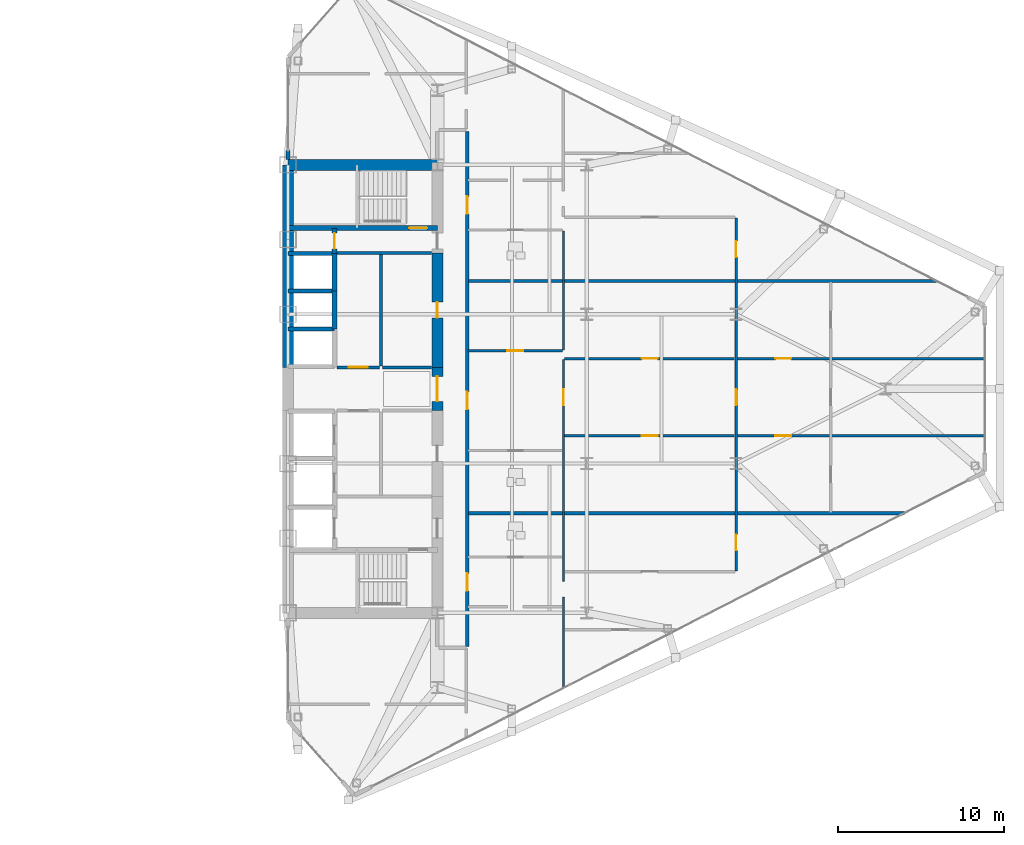
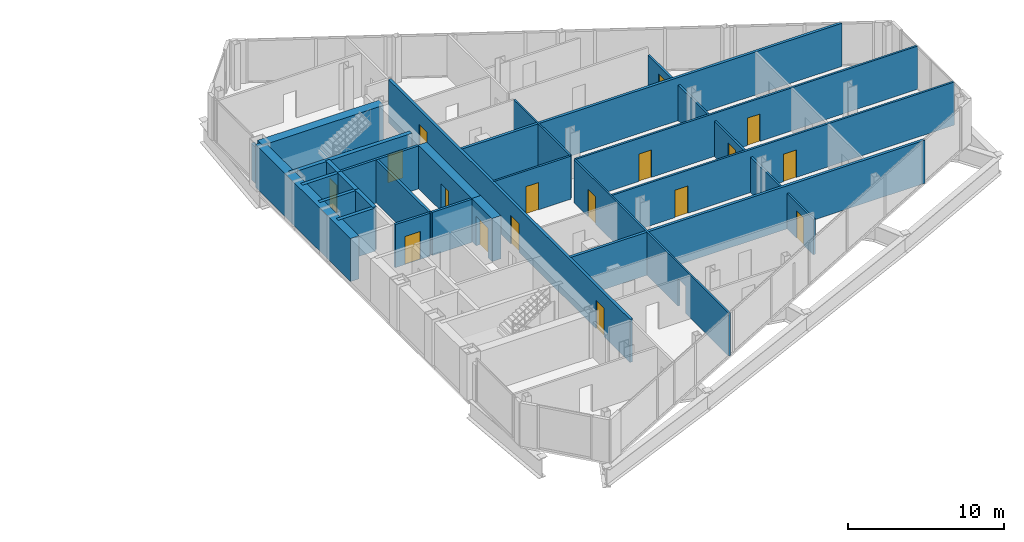
# One storey, part 23 of 28: 25 walls, 17 doors, 18 openings.
"""IFC4 building model written with IfcOpenShell, lengths in metres."""

from ifc_helpers import new_model, si_unit, direction, frame, frame_2d, origin, place, context, subcontext, project, spatial, rectangle, extrude, source, transform, mapped, material, layer, layer_set, type_object, type_shapes, element, fill, save


model = new_model("IFC4")

# Units and contexts
model_context = context("Model", 3, precision=1e-05, world=origin(), true_north=direction((0.0, 1.0)))
body_context = subcontext(model_context, "Body", "Model", "MODEL_VIEW")
ifc_project = project(units=[si_unit("LENGTHUNIT", "METRE"), si_unit("AREAUNIT", "SQUARE_METRE"), si_unit("VOLUMEUNIT", "CUBIC_METRE"), si_unit("PLANEANGLEUNIT", "RADIAN"), si_unit("MASSUNIT", "GRAM", prefix="KILO")], contexts=[model_context])

# Site, building, storey
site_placement = place(None, origin())
site = spatial("IfcSite", under=ifc_project, at=site_placement, CompositionType="ELEMENT")
building_placement = place(site_placement, origin())
building = spatial("IfcBuilding", under=site, at=building_placement, Name="Seokmaru Belvedere", CompositionType="ELEMENT")
storey_placement = place(building_placement, frame((0.0, 0.0, 110.39990234375)))
storey = spatial("IfcBuildingStorey", under=building, at=storey_placement, Name="L29", CompositionType="ELEMENT", Elevation=110.39990234375)

# Wall, openings, doors
ifc_material_1 = material(Name="Fire-Rated Gypsum Shaftwall")
ifc_layer_1 = layer(ifc_material_1, 0.14990234375)
ifc_layer_set_1 = layer_set([ifc_layer_1], Name="Fire-Rated Gypsum Shaftwall")
wall_type_1 = type_object("IfcWallType", Name="Apartment Fire-Acoustic Room Partition 150", PredefinedType="PARTITIONING", material=ifc_layer_set_1)
wall_1_placement = place(storey_placement, frame((44.14990234375, -2.830078125, 0.0), z_axis=(0.0, 0.0, 1.0), x_axis=(1.0, 0.0, 0.0)))
wall_1 = element("IfcWall", 1, at=wall_1_placement, inside=storey, type_object=wall_type_1, Name="L29 Interior Partition 018", PredefinedType="PARTITIONING", context=body_context, shape_type="SweptSolid", body=[
    extrude(rectangle(XDim=25.385009765625, YDim=0.14990234375, at=frame_2d((12.6923828125, 0.0))), origin(), (0.0, 0.0, 1.0), 3.380126953125),
])
opening_1_placement = place(wall_1_placement, frame((4.675048828125, 0.0, 0.0)))
opening_1 = element("IfcOpeningElement", 2, at=opening_1_placement, cuts=wall_1, Name="Opening D05", PredefinedType="OPENING", context=body_context, shape_type="SweptSolid", body=[
    extrude(rectangle(XDim=0.949951171875, YDim=2.14990234375, at=frame_2d((0.47509765625, 1.074951171875))), frame((0.0, 0.0849609375, 0.0), z_axis=(0.0, -1.0, 0.0), x_axis=(1.0, 0.0, 0.0)), (0.0, 0.0, 1.0), 0.169921875),
])
opening_2_placement = place(wall_1_placement, frame((12.72509765625, 0.0, 0.0)))
opening_2 = element("IfcOpeningElement", 3, at=opening_2_placement, cuts=wall_1, Name="Opening D05", PredefinedType="OPENING", context=body_context, shape_type="SweptSolid", body=[
    extrude(rectangle(XDim=0.949951171875, YDim=2.14990234375, at=frame_2d((0.47509765625, 1.074951171875))), frame((0.0, 0.0849609375, 0.0), z_axis=(0.0, -1.0, 0.0), x_axis=(1.0, 0.0, 0.0)), (0.0, 0.0, 1.0), 0.169921875),
])
ifc_material_2 = material(Name="Engineered White Oak Timber", Category="wood")
door_type_1 = type_object("IfcDoorType", Name="Apartment Interior Fire-Rated Oak Door 950x2150", OperationType="NOTDEFINED", PredefinedType="DOOR", material=ifc_material_2)
shared_shape_1 = source(origin(), body_context, "Body", "SweptSolid", [
    extrude(rectangle(XDim=0.949951171875, YDim=2.14990234375, at=frame_2d((0.47509765625, 1.074951171875))), frame((0.0, 0.02490234375, 0.0), z_axis=(0.0, -1.0, 0.0), x_axis=(1.0, 0.0, 0.0)), (0.0, 0.0, 1.0), 0.050048828125),
])
type_shapes(door_type_1, [shared_shape_1])
door_1_placement = place(opening_1_placement, origin())
door_1 = element("IfcDoor", 4, at=door_1_placement, inside=storey, type_object=door_type_1, Name="L29 Interior Door 050", OperationType="SINGLE_SWING_LEFT", OverallHeight=2.14990234375, OverallWidth=0.949951171875, PredefinedType="DOOR", context=body_context, shape_type="MappedRepresentation", body=[
    mapped(shared_shape_1, transform((0.0, 0.0, 0.0), scale=1.0)),
])
fill(opening_1, door_1)
door_2_placement = place(opening_2_placement, origin())
door_2 = element("IfcDoor", 5, at=door_2_placement, inside=storey, type_object=door_type_1, Name="L29 Interior Door 052", OperationType="SINGLE_SWING_RIGHT", OverallHeight=2.14990234375, OverallWidth=0.949951171875, PredefinedType="DOOR", context=body_context, shape_type="MappedRepresentation", body=[
    mapped(shared_shape_1, transform((0.0, 0.0, 0.0), scale=1.0)),
])
fill(opening_2, door_2)

wall_2_placement = place(storey_placement, frame((44.14990234375, 1.830078125, 0.0), z_axis=(0.0, 0.0, 1.0), x_axis=(1.0, 0.0, 0.0)))
wall_2 = element("IfcWall", 6, at=wall_2_placement, inside=storey, type_object=wall_type_1, Name="L29 Interior Partition 021", PredefinedType="PARTITIONING", context=body_context, shape_type="SweptSolid", body=[
    extrude(rectangle(XDim=25.385009765625, YDim=0.14990234375, at=frame_2d((12.6923828125, 0.0))), origin(), (0.0, 0.0, 1.0), 3.380126953125),
])
opening_3_placement = place(wall_2_placement, frame((4.675048828125, 0.0, 0.0)))
opening_3 = element("IfcOpeningElement", 7, at=opening_3_placement, cuts=wall_2, Name="Opening D05", PredefinedType="OPENING", context=body_context, shape_type="SweptSolid", body=[
    extrude(rectangle(XDim=0.949951171875, YDim=2.14990234375, at=frame_2d((0.47509765625, 1.074951171875))), frame((0.0, 0.0849609375, 0.0), z_axis=(0.0, -1.0, 0.0), x_axis=(1.0, 0.0, 0.0)), (0.0, 0.0, 1.0), 0.169921875),
])
opening_4_placement = place(wall_2_placement, frame((12.72509765625, 0.0, 0.0)))
opening_4 = element("IfcOpeningElement", 8, at=opening_4_placement, cuts=wall_2, Name="Opening D05", PredefinedType="OPENING", context=body_context, shape_type="SweptSolid", body=[
    extrude(rectangle(XDim=0.949951171875, YDim=2.14990234375, at=frame_2d((0.47509765625, 1.074951171875))), frame((0.0, 0.0849609375, 0.0), z_axis=(0.0, -1.0, 0.0), x_axis=(1.0, 0.0, 0.0)), (0.0, 0.0, 1.0), 0.169921875),
])
door_3_placement = place(opening_3_placement, origin())
door_3 = element("IfcDoor", 9, at=door_3_placement, inside=storey, type_object=door_type_1, Name="L29 Interior Door 051", OperationType="SINGLE_SWING_RIGHT", OverallHeight=2.14990234375, OverallWidth=0.949951171875, PredefinedType="DOOR", context=body_context, shape_type="MappedRepresentation", body=[
    mapped(shared_shape_1, transform((0.0, 0.0, 0.0), scale=1.0)),
])
fill(opening_3, door_3)
door_4_placement = place(opening_4_placement, origin())
door_4 = element("IfcDoor", 10, at=door_4_placement, inside=storey, type_object=door_type_1, Name="L29 Interior Door 055", OperationType="SINGLE_SWING_RIGHT", OverallHeight=2.14990234375, OverallWidth=0.949951171875, PredefinedType="DOOR", context=body_context, shape_type="MappedRepresentation", body=[
    mapped(shared_shape_1, transform((0.0, 0.0, 0.0), scale=1.0)),
])
fill(opening_4, door_4)

# Wall, opening, door
wall_3_placement = place(storey_placement, frame((38.35009765625, 2.300048828125, 0.0), z_axis=(0.0, 0.0, 1.0), x_axis=(1.0, 0.0, 0.0)))
wall_3 = element("IfcWall", 11, at=wall_3_placement, inside=storey, type_object=wall_type_1, Name="L29 Interior Partition 022", PredefinedType="PARTITIONING", context=body_context, shape_type="SweptSolid", body=[
    extrude(rectangle(XDim=5.699951171875, YDim=0.14990234375, at=frame_2d((2.85009765625, 0.0))), origin(), (0.0, 0.0, 1.0), 3.380126953125),
])
opening_5_placement = place(wall_3_placement, frame((2.375, 0.0, 0.0)))
opening_5 = element("IfcOpeningElement", 12, at=opening_5_placement, cuts=wall_3, Name="Opening D05", PredefinedType="OPENING", context=body_context, shape_type="SweptSolid", body=[
    extrude(rectangle(XDim=0.949951171875, YDim=2.14990234375, at=frame_2d((0.47509765625, 1.074951171875))), frame((0.0, 0.0849609375, 0.0), z_axis=(0.0, -1.0, 0.0), x_axis=(1.0, 0.0, 0.0)), (0.0, 0.0, 1.0), 0.169921875),
])
door_5_placement = place(opening_5_placement, origin())
door_5 = element("IfcDoor", 13, at=door_5_placement, inside=storey, type_object=door_type_1, Name="L29 Interior Door 047", OperationType="SINGLE_SWING_RIGHT", OverallHeight=2.14990234375, OverallWidth=0.949951171875, PredefinedType="DOOR", context=body_context, shape_type="MappedRepresentation", body=[
    mapped(shared_shape_1, transform((0.0, 0.0, 0.0), scale=1.0)),
])
fill(opening_5, door_5)

# Wall, openings, doors
wall_4_placement = place(storey_placement, frame((54.5, -10.9609375, 0.0), z_axis=(0.0, 0.0, 1.0), x_axis=(0.0, 1.0, 0.0)))
wall_4 = element("IfcWall", 14, at=wall_4_placement, inside=storey, type_object=wall_type_1, Name="L29 Interior Partition 055", PredefinedType="PARTITIONING", context=body_context, shape_type="SweptSolid", body=[
    extrude(rectangle(XDim=21.255859375, YDim=0.14990234375, at=frame_2d((10.6279296875, 0.0))), origin(), (0.0, 0.0, 1.0), 2.780029296875),
])
opening_6_placement = place(wall_4_placement, frame((1.230224609375, 0.0, 0.0)))
opening_6 = element("IfcOpeningElement", 15, at=opening_6_placement, cuts=wall_4, Name="Opening D05", PredefinedType="OPENING", context=body_context, shape_type="SweptSolid", body=[
    extrude(rectangle(XDim=0.949951171875, YDim=2.14990234375, at=frame_2d((0.47509765625, 1.074951171875))), frame((0.0, 0.0849609375, 0.0), z_axis=(0.0, -1.0, 0.0), x_axis=(1.0, 0.0, 0.0)), (0.0, 0.0, 1.0), 0.169921875),
])
opening_7_placement = place(wall_4_placement, frame((9.986083984375, 0.0, 0.0)))
opening_7 = element("IfcOpeningElement", 16, at=opening_7_placement, cuts=wall_4, Name="Opening D05", PredefinedType="OPENING", context=body_context, shape_type="SweptSolid", body=[
    extrude(rectangle(XDim=0.949951171875, YDim=2.14990234375, at=frame_2d((0.47509765625, 1.074951171875))), frame((0.0, 0.0849609375, 0.0), z_axis=(0.0, -1.0, 0.0), x_axis=(1.0, 0.0, 0.0)), (0.0, 0.0, 1.0), 0.169921875),
])
opening_8_placement = place(wall_4_placement, frame((18.908447265625, 0.0, 0.0)))
opening_8 = element("IfcOpeningElement", 17, at=opening_8_placement, cuts=wall_4, Name="Opening D05", PredefinedType="OPENING", context=body_context, shape_type="SweptSolid", body=[
    extrude(rectangle(XDim=0.949951171875, YDim=2.14990234375, at=frame_2d((0.47509765625, 1.074951171875))), frame((0.0, 0.0849609375, 0.0), z_axis=(0.0, -1.0, 0.0), x_axis=(1.0, 0.0, 0.0)), (0.0, 0.0, 1.0), 0.169921875),
])
door_6_placement = place(opening_6_placement, origin())
door_6 = element("IfcDoor", 18, at=door_6_placement, inside=storey, type_object=door_type_1, Name="L29 Interior Door 044", OperationType="SINGLE_SWING_RIGHT", OverallHeight=2.14990234375, OverallWidth=0.949951171875, PredefinedType="DOOR", context=body_context, shape_type="MappedRepresentation", body=[
    mapped(shared_shape_1, transform((0.0, 0.0, 0.0), scale=1.0)),
])
fill(opening_6, door_6)
door_7_placement = place(opening_7_placement, origin())
door_7 = element("IfcDoor", 19, at=door_7_placement, inside=storey, type_object=door_type_1, Name="L29 Interior Door 049", OperationType="SINGLE_SWING_RIGHT", OverallHeight=2.14990234375, OverallWidth=0.949951171875, PredefinedType="DOOR", context=body_context, shape_type="MappedRepresentation", body=[
    mapped(shared_shape_1, transform((0.0, 0.0, 0.0), scale=1.0)),
])
fill(opening_7, door_7)
door_8_placement = place(opening_8_placement, origin())
door_8 = element("IfcDoor", 20, at=door_8_placement, inside=storey, type_object=door_type_1, Name="L29 Interior Door 065", OperationType="SINGLE_SWING_LEFT", OverallHeight=2.14990234375, OverallWidth=0.949951171875, PredefinedType="DOOR", context=body_context, shape_type="MappedRepresentation", body=[
    mapped(shared_shape_1, transform((0.0, 0.0, 0.0), scale=1.0)),
])
fill(opening_8, door_8)

# Walls
ifc_layer_2 = layer(ifc_material_1, 0.179931640625)
ifc_layer_set_2 = layer_set([ifc_layer_2], Name="Fire-Rated Gypsum Shaftwall")
wall_type_2 = type_object("IfcWallType", Name="Core Service Fire Partition 180", PredefinedType="PARTITIONING", material=ifc_layer_set_2)
wall_5_placement = place(storey_placement, frame((30.449951171875, 8.199951171875, 0.0), z_axis=(0.0, 0.0, 1.0), x_axis=(1.0, 0.0, 0.0)))
element("IfcWall", 21, at=wall_5_placement, inside=storey, type_object=wall_type_2, Name="L29 East Smokeproof Vestibule Partition", PredefinedType="PARTITIONING", context=body_context, shape_type="SweptSolid", body=[
    extrude(rectangle(XDim=5.699951171875, YDim=0.179931640625, at=frame_2d((2.85009765625, 0.0))), origin(), (0.0, 0.0, 1.0), 3.380126953125),
])
wall_6_placement = place(storey_placement, frame((33.10009765625, 1.3798828125, 0.0), z_axis=(0.0, 0.0, 1.0), x_axis=(0.0, 1.0, 0.0)))
element("IfcWall", 22, at=wall_6_placement, inside=storey, type_object=wall_type_2, Name="L29 East North Core Service Back Wall", PredefinedType="PARTITIONING", context=body_context, shape_type="SweptSolid", body=[
    extrude(rectangle(XDim=6.740234375, YDim=0.179931640625, at=frame_2d((3.3701171875, 0.0))), origin(), (0.0, 0.0, 1.0), 3.380126953125),
])

# Wall, opening, door
wall_7_placement = place(storey_placement, frame((30.449951171875, 1.300048828125, 0.0), z_axis=(0.0, 0.0, 1.0), x_axis=(1.0, 0.0, 0.0)))
wall_7 = element("IfcWall", 23, at=wall_7_placement, inside=storey, type_object=wall_type_2, Name="L29 East North Lift Lobby Foyer Wall", PredefinedType="PARTITIONING", context=body_context, shape_type="SweptSolid", body=[
    extrude(rectangle(XDim=2.570068359375, YDim=0.179931640625, at=frame_2d((1.28515625, 0.0))), origin(), (0.0, 0.0, 1.0), 3.380126953125),
])
opening_9_placement = place(wall_7_placement, frame((0.7099609375, 0.0, 0.0)))
opening_9 = element("IfcOpeningElement", 24, at=opening_9_placement, cuts=wall_7, Name="Opening D02", PredefinedType="OPENING", context=body_context, shape_type="SweptSolid", body=[
    extrude(rectangle(XDim=1.14990234375, YDim=2.199951171875, at=frame_2d((0.574951171875, 1.10009765625))), frame((0.0, 0.10009765625, 0.0), z_axis=(0.0, -1.0, 0.0), x_axis=(1.0, 0.0, 0.0)), (0.0, 0.0, 1.0), 0.199951171875),
])
ifc_material_3 = material(Name="Fire-Rated Steel Leaf", Category="steel")
door_type_2 = type_object("IfcDoorType", Name="Lobby and Vestibule Fire Door 1150x2200", OperationType="NOTDEFINED", PredefinedType="DOOR", material=ifc_material_3)
shared_shape_2 = source(origin(), body_context, "Body", "SweptSolid", [
    extrude(rectangle(XDim=1.14990234375, YDim=2.199951171875, at=frame_2d((0.574951171875, 1.10009765625))), frame((0.0, 0.02490234375, 0.0), z_axis=(0.0, -1.0, 0.0), x_axis=(1.0, 0.0, 0.0)), (0.0, 0.0, 1.0), 0.050048828125),
])
type_shapes(door_type_2, [shared_shape_2])
door_9_placement = place(opening_9_placement, origin())
door_9 = element("IfcDoor", 25, at=door_9_placement, inside=storey, type_object=door_type_2, Name="L29 East North Lift Lobby Door", OperationType="SINGLE_SWING_LEFT", OverallHeight=2.199951171875, OverallWidth=1.14990234375, PredefinedType="DOOR", context=body_context, shape_type="MappedRepresentation", body=[
    mapped(shared_shape_2, transform((0.0, 0.0, 0.0), scale=1.0)),
])
fill(opening_9, door_9)

# Walls
wall_8_placement = place(storey_placement, frame((33.199951171875, 1.300048828125, 0.0), z_axis=(0.0, 0.0, 1.0), x_axis=(1.0, 0.0, 0.0)))
element("IfcWall", 26, at=wall_8_placement, inside=storey, type_object=wall_type_2, Name="L29 East Foyer Side Wall N", PredefinedType="PARTITIONING", context=body_context, shape_type="SweptSolid", body=[
    extrude(rectangle(XDim=2.949951171875, YDim=0.179931640625, at=frame_2d((1.47509765625, 0.0))), origin(), (0.0, 0.0, 1.0), 3.380126953125),
])
ifc_material_4 = material(Name="Concrete C50 (50 MPa)", Category="concrete")
ifc_layer_3 = layer(ifc_material_4, 0.25)
ifc_layer_set_3 = layer_set([ifc_layer_3], Name="Concrete C50 (50 MPa)")
wall_type_3 = type_object("IfcWallType", Name="Hoistway Transverse Concrete Divider Wall 250", PredefinedType="SHEAR", material=ifc_layer_set_3)
for number, where, z_axis, x_axis, name in (
    (27, (27.5, 3.60009765625, 0.0), (0.0, 0.0, 1.0), (1.0, 0.0, 0.0), "L29 East Hoistway Divider Core Wall 5"),
    (28, (27.5, 5.89990234375, 0.0), (0.0, 0.0, 1.0), (1.0, 0.0, 0.0), "L29 East Hoistway Divider Core Wall 6"),
    (29, (27.5, 8.14990234375, 0.0), (0.0, 0.0, 1.0), (1.0, 0.0, 0.0), "L29 East Hoistway Divider Core Wall 7"),
):
    element("IfcWall", number, at=place(storey_placement, frame(where, z_axis=z_axis, x_axis=x_axis)), inside=storey, type_object=wall_type_3, Name=name, PredefinedType="SHEAR", context=body_context, shape_type="SweptSolid", body=[
        extrude(rectangle(XDim=2.800048828125, YDim=0.25, at=frame_2d((1.39990234375, 0.0))), origin(), (0.0, 0.0, 1.0), 3.380126953125),
    ])
ifc_layer_4 = layer(ifc_material_1, 0.199951171875)
ifc_layer_set_4 = layer_set([ifc_layer_4], Name="Fire-Rated Gypsum Shaftwall")
wall_type_4 = type_object("IfcWallType", Name="Inter-Tenancy Fire Compartment Partition 200", PredefinedType="PARTITIONING", material=ifc_layer_set_4)
wall_9_placement = place(storey_placement, frame((38.3798828125, -7.5, 0.0), z_axis=(0.0, 0.0, 1.0), x_axis=(1.0, 0.0, 0.0)))
element("IfcWall", 30, at=wall_9_placement, inside=storey, type_object=wall_type_4, Name="L29 Interior Partition 014", PredefinedType="PARTITIONING", context=body_context, shape_type="SweptSolid", body=[
    extrude(rectangle(XDim=26.259033203125, YDim=0.199951171875, at=frame_2d((13.12939453125, 0.0))), origin(), (0.0, 0.0, 1.0), 3.380126953125),
])
wall_10_placement = place(storey_placement, frame((38.3798828125, 6.5, 0.0), z_axis=(0.0, 0.0, 1.0), x_axis=(1.0, 0.0, 0.0)))
element("IfcWall", 31, at=wall_10_placement, inside=storey, type_object=wall_type_4, Name="L29 Interior Partition 024", PredefinedType="PARTITIONING", context=body_context, shape_type="SweptSolid", body=[
    extrude(rectangle(XDim=28.2080078125, YDim=0.199951171875, at=frame_2d((14.10400390625, 0.0))), origin(), (0.0, 0.0, 1.0), 3.380126953125),
])

# Wall, openings, doors
wall_11_placement = place(storey_placement, frame((38.300048828125, -15.514892578125, 0.0), z_axis=(0.0, 0.0, 1.0), x_axis=(0.0, 1.0, 0.0)))
wall_11 = element("IfcWall", 32, at=wall_11_placement, inside=storey, type_object=wall_type_4, Name="L29 Interior Partition 051", PredefinedType="PARTITIONING", context=body_context, shape_type="SweptSolid", body=[
    extrude(rectangle(XDim=31.02978515625, YDim=0.199951171875, at=frame_2d((15.514892578125, 0.0))), origin(), (0.0, 0.0, 1.0), 3.380126953125),
])
opening_10_placement = place(wall_11_placement, frame((3.344970703125, 0.0, 0.0)))
opening_10 = element("IfcOpeningElement", 33, at=opening_10_placement, cuts=wall_11, Name="Opening D03", PredefinedType="OPENING", context=body_context, shape_type="SweptSolid", body=[
    extrude(rectangle(XDim=1.050048828125, YDim=2.25, at=frame_2d((0.52490234375, 1.125))), frame((0.0, 0.10986328125, 0.0), z_axis=(0.0, -1.0, 0.0), x_axis=(1.0, 0.0, 0.0)), (0.0, 0.0, 1.0), 0.219970703125),
])
opening_11_placement = place(wall_11_placement, frame((14.280029296875, 0.0, 0.0)))
opening_11 = element("IfcOpeningElement", 34, at=opening_11_placement, cuts=wall_11, Name="Opening D03", PredefinedType="OPENING", context=body_context, shape_type="SweptSolid", body=[
    extrude(rectangle(XDim=1.050048828125, YDim=2.25, at=frame_2d((0.52490234375, 1.125))), frame((0.0, 0.10986328125, 0.0), z_axis=(0.0, -1.0, 0.0), x_axis=(1.0, 0.0, 0.0)), (0.0, 0.0, 1.0), 0.219970703125),
])
opening_12_placement = place(wall_11_placement, frame((26.0673828125, 0.0, 0.0)))
opening_12 = element("IfcOpeningElement", 35, at=opening_12_placement, cuts=wall_11, Name="Opening D03", PredefinedType="OPENING", context=body_context, shape_type="SweptSolid", body=[
    extrude(rectangle(XDim=1.050048828125, YDim=2.25, at=frame_2d((0.52490234375, 1.125))), frame((0.0, 0.10986328125, 0.0), z_axis=(0.0, -1.0, 0.0), x_axis=(1.0, 0.0, 0.0)), (0.0, 0.0, 1.0), 0.219970703125),
])
door_type_3 = type_object("IfcDoorType", Name="Apartment Entrance Fire Door 1050x2250", OperationType="NOTDEFINED", PredefinedType="DOOR", material=ifc_material_3)
shared_shape_3 = source(origin(), body_context, "Body", "SweptSolid", [
    extrude(rectangle(XDim=1.050048828125, YDim=2.25, at=frame_2d((0.52490234375, 1.125))), frame((0.0, 0.02490234375, 0.0), z_axis=(0.0, -1.0, 0.0), x_axis=(1.0, 0.0, 0.0)), (0.0, 0.0, 1.0), 0.050048828125),
])
type_shapes(door_type_3, [shared_shape_3])
door_10_placement = place(opening_10_placement, origin())
door_10 = element("IfcDoor", 36, at=door_10_placement, inside=storey, type_object=door_type_3, Name="L29 Interior Door 036", OperationType="SINGLE_SWING_LEFT", OverallHeight=2.25, OverallWidth=1.050048828125, PredefinedType="DOOR", context=body_context, shape_type="MappedRepresentation", body=[
    mapped(shared_shape_3, transform((0.0, 0.0, 0.0), scale=1.0)),
])
fill(opening_10, door_10)
door_11_placement = place(opening_11_placement, origin())
door_11 = element("IfcDoor", 37, at=door_11_placement, inside=storey, type_object=door_type_3, Name="L29 Interior Door 045", OperationType="SINGLE_SWING_RIGHT", OverallHeight=2.25, OverallWidth=1.050048828125, PredefinedType="DOOR", context=body_context, shape_type="MappedRepresentation", body=[
    mapped(shared_shape_3, transform((0.0, 0.0, 0.0), scale=1.0)),
])
fill(opening_11, door_11)
door_12_placement = place(opening_12_placement, origin())
door_12 = element("IfcDoor", 38, at=door_12_placement, inside=storey, type_object=door_type_3, Name="L29 Interior Door 057", OperationType="SINGLE_SWING_LEFT", OverallHeight=2.25, OverallWidth=1.050048828125, PredefinedType="DOOR", context=body_context, shape_type="MappedRepresentation", body=[
    mapped(shared_shape_3, transform((0.0, 0.0, 0.0), scale=1.0)),
])
fill(opening_12, door_12)

# Wall, opening, door
ifc_layer_5 = layer(ifc_material_4, 0.300048828125)
ifc_layer_set_5 = layer_set([ifc_layer_5], Name="Concrete C50 (50 MPa)")
wall_type_5 = type_object("IfcWallType", Name="Internal Core Stair and Hoistway Wall 300", PredefinedType="SHEAR", material=ifc_layer_set_5)
wall_12_placement = place(storey_placement, frame((27.5, 9.699951171875, 0.0), z_axis=(0.0, 0.0, 1.0), x_axis=(1.0, 0.0, 0.0)))
wall_12 = element("IfcWall", 39, at=wall_12_placement, inside=storey, type_object=wall_type_5, Name="L29 East Stair ST-2 Enclosure Wall", PredefinedType="SHEAR", context=body_context, shape_type="SweptSolid", body=[
    extrude(rectangle(XDim=9.0, YDim=0.300048828125, at=frame_2d((4.5, 0.0))), origin(), (0.0, 0.0, 1.0), 3.380126953125),
])
opening_13_placement = place(wall_12_placement, frame((7.300048828125, 0.0, 0.0)))
opening_13 = element("IfcOpeningElement", 40, at=opening_13_placement, cuts=wall_12, Name="Opening D01", PredefinedType="OPENING", context=body_context, shape_type="SweptSolid", body=[
    extrude(rectangle(XDim=1.10009765625, YDim=2.199951171875, at=frame_2d((0.550048828125, 1.10009765625))), frame((0.0, 0.16015625, 0.0), z_axis=(0.0, -1.0, 0.0), x_axis=(1.0, 0.0, 0.0)), (0.0, 0.0, 1.0), 0.320068359375),
])
door_type_4 = type_object("IfcDoorType", Name="Special Escape Stair Smokeproof Fire Door 1100x2200", OperationType="NOTDEFINED", PredefinedType="DOOR", material=ifc_material_3)
shared_shape_4 = source(origin(), body_context, "Body", "SweptSolid", [
    extrude(rectangle(XDim=1.10009765625, YDim=2.199951171875, at=frame_2d((0.550048828125, 1.10009765625))), frame((0.0, 0.02490234375, 0.0), z_axis=(0.0, -1.0, 0.0), x_axis=(1.0, 0.0, 0.0)), (0.0, 0.0, 1.0), 0.050048828125),
])
type_shapes(door_type_4, [shared_shape_4])
door_13_placement = place(opening_13_placement, origin())
door_13 = element("IfcDoor", 41, at=door_13_placement, inside=storey, type_object=door_type_4, Name="L29 East Special Escape Stair ST-2 Door", OperationType="SINGLE_SWING_LEFT", OverallHeight=2.199951171875, OverallWidth=1.10009765625, PredefinedType="DOOR", context=body_context, shape_type="MappedRepresentation", body=[
    mapped(shared_shape_4, transform((0.0, 0.0, 0.0), scale=1.0)),
])
fill(opening_13, door_13)

# Walls
wall_13_placement = place(storey_placement, frame((30.300048828125, 3.60009765625, 0.0), z_axis=(0.0, 0.0, 1.0), x_axis=(0.0, 1.0, 0.0)))
element("IfcWall", 42, at=wall_13_placement, inside=storey, type_object=wall_type_5, Name="L29 East North Hoistway Wall PH2", PredefinedType="SHEAR", context=body_context, shape_type="SweptSolid", body=[
    extrude(rectangle(XDim=2.2998046875, YDim=0.300048828125, at=frame_2d((1.14990234375, 0.0))), origin(), (0.0, 0.0, 1.0), 3.380126953125),
])
wall_14_placement = place(storey_placement, frame((30.300048828125, 5.89990234375, 0.0), z_axis=(0.0, 0.0, 1.0), x_axis=(0.0, 1.0, 0.0)))
element("IfcWall", 43, at=wall_14_placement, inside=storey, type_object=wall_type_5, Name="L29 East North Hoistway Wall OBS", PredefinedType="SHEAR", context=body_context, shape_type="SweptSolid", body=[
    extrude(rectangle(XDim=2.25, YDim=0.300048828125, at=frame_2d((1.125, 0.0))), origin(), (0.0, 0.0, 1.0), 3.380126953125),
])

# Wall, opening, door
wall_15_placement = place(storey_placement, frame((30.300048828125, 8.14990234375, 0.0), z_axis=(0.0, 0.0, 1.0), x_axis=(0.0, 1.0, 0.0)))
wall_15 = element("IfcWall", 44, at=wall_15_placement, inside=storey, type_object=wall_type_5, Name="L29 East Electrical Riser Front Wall", PredefinedType="SHEAR", context=body_context, shape_type="SweptSolid", body=[
    extrude(rectangle(XDim=1.530029296875, YDim=0.300048828125, at=frame_2d((0.76513671875, 0.0))), origin(), (0.0, 0.0, 1.0), 3.380126953125),
])
opening_14_placement = place(wall_15_placement, frame((0.284912109375, 0.0, 0.0)))
opening_14 = element("IfcOpeningElement", 45, at=opening_14_placement, cuts=wall_15, Name="Opening D04", PredefinedType="OPENING", context=body_context, shape_type="SweptSolid", body=[
    extrude(rectangle(XDim=0.949951171875, YDim=2.14990234375, at=frame_2d((0.47509765625, 1.074951171875))), frame((0.0, 0.16015625, 0.0), z_axis=(0.0, -1.0, 0.0), x_axis=(1.0, 0.0, 0.0)), (0.0, 0.0, 1.0), 0.320068359375),
])
door_type_5 = type_object("IfcDoorType", Name="Core Service Room Fire Door 950x2150", OperationType="NOTDEFINED", PredefinedType="DOOR", material=ifc_material_3)
shared_shape_5 = source(origin(), body_context, "Body", "SweptSolid", [
    extrude(rectangle(XDim=0.949951171875, YDim=2.14990234375, at=frame_2d((0.47509765625, 1.074951171875))), frame((0.0, 0.02490234375, 0.0), z_axis=(0.0, -1.0, 0.0), x_axis=(1.0, 0.0, 0.0)), (0.0, 0.0, 1.0), 0.050048828125),
])
type_shapes(door_type_5, [shared_shape_5])
door_14_placement = place(opening_14_placement, origin())
door_14 = element("IfcDoor", 46, at=door_14_placement, inside=storey, type_object=door_type_5, Name="L29 East Electrical Riser Access Door", OperationType="SINGLE_SWING_RIGHT", OverallHeight=2.14990234375, OverallWidth=0.949951171875, PredefinedType="DOOR", context=body_context, shape_type="MappedRepresentation", body=[
    mapped(shared_shape_5, transform((0.0, 0.0, 0.0), scale=1.0)),
])
fill(opening_14, door_14)

# Walls
ifc_material_5 = material(Name="Concrete C60 (60 MPa)", Category="concrete")
ifc_layer_6 = layer(ifc_material_5, 0.64990234375)
ifc_layer_set_6 = layer_set([ifc_layer_6], Name="Concrete C60 (60 MPa)")
wall_type_6 = type_object("IfcWallType", Name="Mid-Low Reinforced Concrete Core Wall 650", PredefinedType="SHEAR", material=ifc_layer_set_6)
wall_16_placement = place(storey_placement, frame((27.5, 1.300048828125, 0.0), z_axis=(0.0, 0.0, 1.0), x_axis=(0.0, 1.0, 0.0)))
element("IfcWall", 47, at=wall_16_placement, inside=storey, type_object=wall_type_6, Name="L29 East Portal Spine Core Wall North", PredefinedType="SHEAR", context=body_context, shape_type="SweptSolid", body=[
    extrude(rectangle(XDim=12.199951171875, YDim=0.64990234375, at=frame_2d((6.10009765625, 0.0))), origin(), (0.0, 0.0, 1.0), 3.380126953125),
])
wall_17_placement = place(storey_placement, frame((27.5, 13.5, 0.0), z_axis=(0.0, 0.0, 1.0), x_axis=(1.0, 0.0, 0.0)))
element("IfcWall", 48, at=wall_17_placement, inside=storey, type_object=wall_type_6, Name="L29 East North Core Wall", PredefinedType="SHEAR", context=body_context, shape_type="SweptSolid", body=[
    extrude(rectangle(XDim=9.0, YDim=0.64990234375, at=frame_2d((4.5, 0.0))), origin(), (0.0, 0.0, 1.0), 3.380126953125),
])

# Wall, opening, door
wall_18_placement = place(storey_placement, frame((36.5, -1.300048828125, 0.0), z_axis=(0.0, 0.0, 1.0), x_axis=(0.0, 1.0, 0.0)))
wall_18 = element("IfcWall", 49, at=wall_18_placement, inside=storey, type_object=wall_type_6, Name="L29 East West Core Wall FOY", PredefinedType="SHEAR", context=body_context, shape_type="SweptSolid", body=[
    extrude(rectangle(XDim=2.60009765625, YDim=0.64990234375, at=frame_2d((1.300048828125, 0.0))), origin(), (0.0, 0.0, 1.0), 3.380126953125),
])
opening_15_placement = place(wall_18_placement, frame((0.550048828125, 0.0, 0.0)))
opening_15 = element("IfcOpeningElement", 50, at=opening_15_placement, cuts=wall_18, Name="Opening D08", PredefinedType="OPENING", context=body_context, shape_type="SweptSolid", body=[
    extrude(rectangle(XDim=1.5, YDim=2.300048828125, at=frame_2d((0.75, 1.14990234375))), frame((0.0, 0.3349609375, 0.0), z_axis=(0.0, -1.0, 0.0), x_axis=(1.0, 0.0, 0.0)), (0.0, 0.0, 1.0), 0.669921875),
])
door_type_6 = type_object("IfcDoorType", Name="Cross-Corridor Compartment Double Fire Door 1500x2300", OperationType="DOUBLE_SWING_LEFT", PredefinedType="DOOR", material=ifc_material_3)
shared_shape_6 = source(origin(), body_context, "Body", "SweptSolid", [
    extrude(rectangle(XDim=1.5, YDim=2.300048828125, at=frame_2d((0.75, 1.14990234375))), frame((0.0, 0.02490234375, 0.0), z_axis=(0.0, -1.0, 0.0), x_axis=(1.0, 0.0, 0.0)), (0.0, 0.0, 1.0), 0.050048828125),
])
type_shapes(door_type_6, [shared_shape_6])
door_15_placement = place(opening_15_placement, origin())
door_15 = element("IfcDoor", 51, at=door_15_placement, inside=storey, type_object=door_type_6, Name="L29 East Core Foyer Compartment Door", OperationType="DOUBLE_SWING_LEFT", OverallHeight=2.300048828125, OverallWidth=1.5, PredefinedType="DOOR", context=body_context, shape_type="MappedRepresentation", body=[
    mapped(shared_shape_6, transform((0.0, 0.0, 0.0), scale=1.0)),
])
fill(opening_15, door_15)

wall_19_placement = place(storey_placement, frame((36.5, 1.300048828125, 0.0), z_axis=(0.0, 0.0, 1.0), x_axis=(0.0, 1.0, 0.0)))
wall_19 = element("IfcWall", 52, at=wall_19_placement, inside=storey, type_object=wall_type_6, Name="L29 East West Core Wall CS2", PredefinedType="SHEAR", context=body_context, shape_type="SweptSolid", body=[
    extrude(rectangle(XDim=6.89990234375, YDim=0.64990234375, at=frame_2d((3.449951171875, 0.0))), origin(), (0.0, 0.0, 1.0), 3.380126953125),
])
opening_16_placement = place(wall_19_placement, frame((2.97509765625, 0.0, 0.0)))
opening_16 = element("IfcOpeningElement", 53, at=opening_16_placement, cuts=wall_19, Name="Opening D04", PredefinedType="OPENING", context=body_context, shape_type="SweptSolid", body=[
    extrude(rectangle(XDim=0.949951171875, YDim=2.14990234375, at=frame_2d((0.47509765625, 1.074951171875))), frame((0.0, 0.3349609375, 0.0), z_axis=(0.0, -1.0, 0.0), x_axis=(1.0, 0.0, 0.0)), (0.0, 0.0, 1.0), 0.669921875),
])
door_16_placement = place(opening_16_placement, origin())
door_16 = element("IfcDoor", 54, at=door_16_placement, inside=storey, type_object=door_type_5, Name="L29 East Core Service Room Door 2", OperationType="SINGLE_SWING_LEFT", OverallHeight=2.14990234375, OverallWidth=0.949951171875, PredefinedType="DOOR", context=body_context, shape_type="MappedRepresentation", body=[
    mapped(shared_shape_5, transform((0.0, 0.0, 0.0), scale=1.0)),
])
fill(opening_16, door_16)

# Wall, openings, door
ifc_layer_7 = layer(ifc_material_1, 0.1298828125)
ifc_layer_set_7 = layer_set([ifc_layer_7], Name="Fire-Rated Gypsum Shaftwall")
wall_type_7 = type_object("IfcWallType", Name="Moisture-Resistant Fire-Rated Bathroom Partition 130", PredefinedType="PARTITIONING", material=ifc_layer_set_7)
wall_20_placement = place(storey_placement, frame((44.10009765625, -18.069091796875, 0.0), z_axis=(0.0, 0.0, 1.0), x_axis=(0.0, 1.0, 0.0)))
wall_20 = element("IfcWall", 55, at=wall_20_placement, inside=storey, type_object=wall_type_7, Name="L29 Interior Partition 052", PredefinedType="PARTITIONING", context=body_context, shape_type="SweptSolid", body=[
    extrude(rectangle(XDim=19.85205078125, YDim=0.1298828125, at=frame_2d((9.926025390625, 0.0))), origin(), (0.0, 0.0, 1.0), 3.380126953125),
])
opening_17_placement = place(wall_20_placement, frame((5.515869140625, 0.0, 0.0)))
element("IfcOpeningElement", 56, at=opening_17_placement, cuts=wall_20, Name="L29 Cased Opening 039", PredefinedType="OPENING", context=body_context, shape_type="SweptSolid", body=[
    extrude(rectangle(XDim=0.949951171875, YDim=2.14990234375, at=frame_2d((0.47509765625, 1.074951171875))), frame((0.0, 0.074951171875, 0.0), z_axis=(0.0, -1.0, 0.0), x_axis=(1.0, 0.0, 0.0)), (0.0, 0.0, 1.0), 0.14990234375),
])
opening_18_placement = place(wall_20_placement, frame((17.093994140625, 0.0, 0.0)))
opening_18 = element("IfcOpeningElement", 57, at=opening_18_placement, cuts=wall_20, Name="Opening D05", PredefinedType="OPENING", context=body_context, shape_type="SweptSolid", body=[
    extrude(rectangle(XDim=0.949951171875, YDim=2.14990234375, at=frame_2d((0.47509765625, 1.074951171875))), frame((0.0, 0.074951171875, 0.0), z_axis=(0.0, -1.0, 0.0), x_axis=(1.0, 0.0, 0.0)), (0.0, 0.0, 1.0), 0.14990234375),
])
door_17_placement = place(opening_18_placement, origin())
door_17 = element("IfcDoor", 58, at=door_17_placement, inside=storey, type_object=door_type_1, Name="L29 Interior Door 048", OperationType="SINGLE_SWING_LEFT", OverallHeight=2.14990234375, OverallWidth=0.949951171875, PredefinedType="DOOR", context=body_context, shape_type="MappedRepresentation", body=[
    mapped(shared_shape_1, transform((0.0, 0.0, 0.0), scale=1.0)),
])
fill(opening_18, door_17)

# Walls
wall_21_placement = place(storey_placement, frame((44.10009765625, 2.35205078125, 0.0), z_axis=(0.0, 0.0, 1.0), x_axis=(0.0, 1.0, 0.0)))
element("IfcWall", 59, at=wall_21_placement, inside=storey, type_object=wall_type_7, Name="L29 Interior Partition 053", PredefinedType="PARTITIONING", context=body_context, shape_type="SweptSolid", body=[
    extrude(rectangle(XDim=7.176025390625, YDim=0.1298828125, at=frame_2d((3.587890625, 0.0))), origin(), (0.0, 0.0, 1.0), 3.380126953125),
])
ifc_material_6 = material(Name="Anodised Bronze Aluminium", Category="aluminium")
ifc_layer_8 = layer(ifc_material_6, 0.239990234375)
ifc_layer_set_8 = layer_set([ifc_layer_8], Name="Anodised Bronze Aluminium")
wall_type_8 = type_object("IfcWallType", Name="Tower Corner Spandrel Closure Wall 240", PredefinedType="SOLIDWALL", material=ifc_layer_set_8)
wall_22_placement = place(storey_placement, frame((27.5, 13.830078125, 0.0), z_axis=(0.0, 0.0, 1.0), x_axis=(0.0, 1.0, 0.0)))
element("IfcWall", 60, at=wall_22_placement, inside=storey, type_object=wall_type_8, Name="L29 E Spine Closure Pier 2A", PredefinedType="SOLIDWALL", context=body_context, shape_type="SweptSolid", body=[
    extrude(rectangle(XDim=0.5498046875, YDim=0.239990234375, at=frame_2d((0.27490234375, 0.0))), origin(), (0.0, 0.0, 1.0), 2.880126953125),
])

save(model, "model.ifc")
